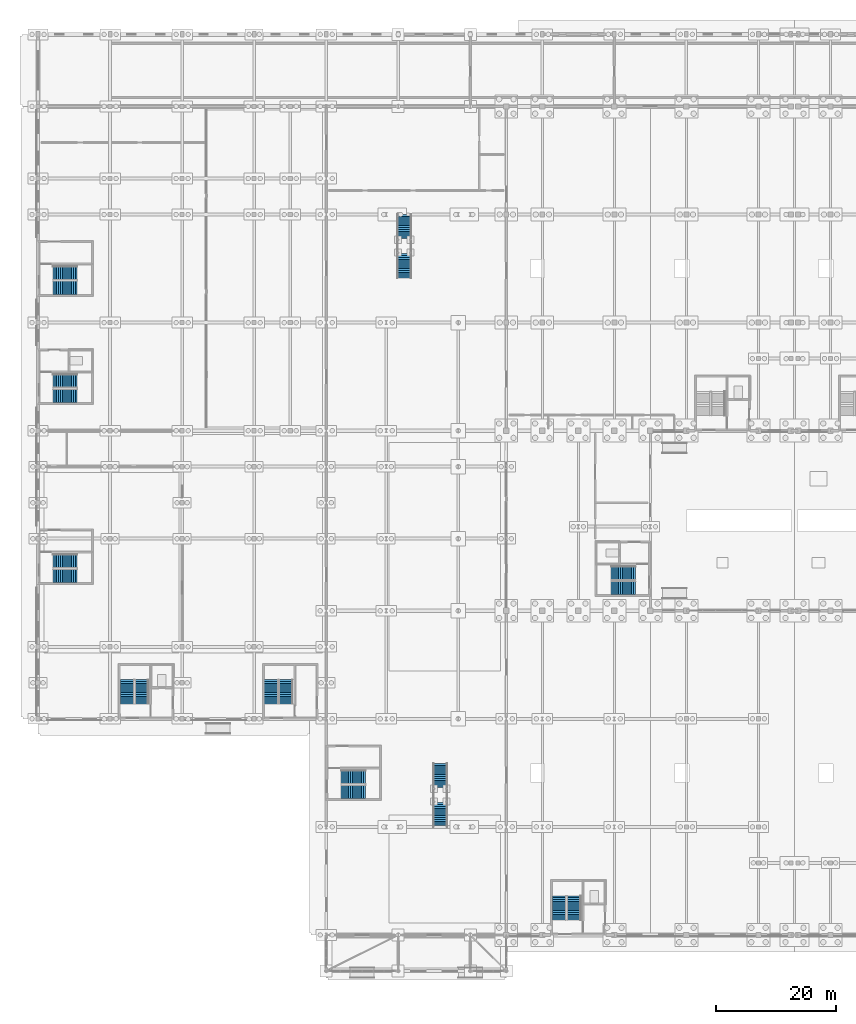
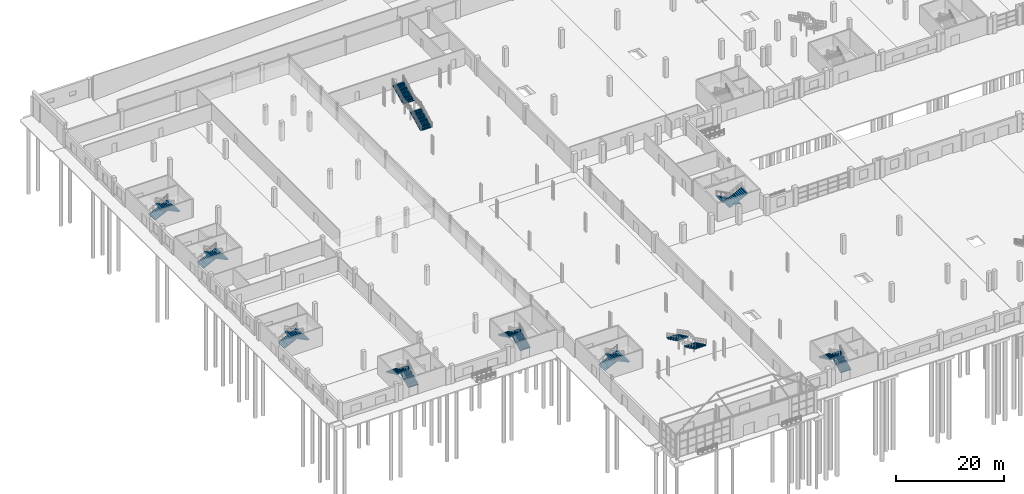
# One storey, part 67 of 77: 20 stair flights, 10 elements without a shape of their own.
"""IFC4 building model written with IfcOpenShell, lengths in metres."""

from ifc_helpers import new_model, si_unit, direction, frame, origin, place, context, subcontext, project, spatial, polyline, outline, extrude, material, type_object, element, aggregate, save


model = new_model("IFC4")

# Units and contexts
model_context = context("Model", 3, precision=1e-05, world=origin(), true_north=direction((0.0, 1.0)))
body_context = subcontext(model_context, "Body", "Model", "MODEL_VIEW")
ifc_project = project(units=[si_unit("LENGTHUNIT", "METRE"), si_unit("AREAUNIT", "SQUARE_METRE"), si_unit("VOLUMEUNIT", "CUBIC_METRE"), si_unit("PLANEANGLEUNIT", "RADIAN"), si_unit("MASSUNIT", "GRAM", prefix="KILO")], contexts=[model_context])

# Site, building, storey
site_placement = place(None, origin())
site = spatial("IfcSite", under=ifc_project, at=site_placement, CompositionType="ELEMENT")
building_placement = place(site_placement, origin())
building = spatial("IfcBuilding", under=site, at=building_placement, Name="Zilviju Railside Exhibition Hall", CompositionType="ELEMENT")
storey_placement = place(building_placement, origin())
storey = spatial("IfcBuildingStorey", under=building, at=storey_placement, Name="L01", CompositionType="ELEMENT", Elevation=0.0)

# Stair, stair flights
ifc_material = material(Name="Concrete C35/45", Category="concrete")
stair_type_1 = type_object("IfcStairType", Name="STAIR-ST-A", PredefinedType="HALF_TURN_STAIR", material=ifc_material)
stair_1_placement = place(storey_placement, origin())
stair_1 = element("IfcStair", 1, at=stair_1_placement, inside=storey, type_object=stair_type_1, Name="Core C01 South Hall West Exit Stair L01", PredefinedType="HALF_TURN_STAIR")
stair_flight_type_1 = type_object("IfcStairFlightType", Name="FLIGHT-ST-A", PredefinedType="STRAIGHT", material=ifc_material)
stair_flight_1_placement = place(storey_placement, frame((89.300048828125, 2.5, 0.0), z_axis=(0.0, 0.0, 1.0), x_axis=(0.0, 1.0, 0.0)))
stair_flight_1 = element("IfcStairFlight", 2, at=stair_flight_1_placement, type_object=stair_flight_type_1, Name="ST-01 flight 1", NumberOfRisers=14, NumberOfTreads=13, PredefinedType="STRAIGHT", RiserHeight=0.15, TreadLength=0.31, context=body_context, shape_type="SweptSolid", body=[
    extrude(outline(polyline([(0.0, 0.0), (0.0, 0.14990234375), (0.31005859375, 0.14990234375), (0.31005859375, 0.300048828125), (0.6201171875, 0.300048828125), (0.6201171875, 0.449951171875), (0.929931640625, 0.449951171875), (0.929931640625, 0.60009765625), (1.239990234375, 0.60009765625), (1.239990234375, 0.75), (1.550048828125, 0.75), (1.550048828125, 0.89990234375), (1.860107421875, 0.89990234375), (1.860107421875, 1.050048828125), (2.169921875, 1.050048828125), (2.169921875, 1.199951171875), (2.47998046875, 1.199951171875), (2.47998046875, 1.35009765625), (2.7900390625, 1.35009765625), (2.7900390625, 1.5), (3.10009765625, 1.5), (3.10009765625, 1.64990234375), (3.409912109375, 1.64990234375), (3.409912109375, 1.800048828125), (3.719970703125, 1.800048828125), (3.719970703125, 1.949951171875), (4.030029296875, 1.949951171875), (4.030029296875, 2.10009765625), (4.030029296875, 1.75), (0.4130859375, 0.0), (0.0, 0.0)])), frame((0.0, 1.1201171875, 0.0), z_axis=(0.0, -1.0, 0.0), x_axis=(1.0, 0.0, 0.0)), (0.0, 0.0, 1.0), 2.239990234375),
])
stair_flight_2_placement = place(storey_placement, frame((86.800048828125, 6.530029296875, 2.10009765625), z_axis=(0.0, 0.0, 1.0), x_axis=(0.0, -1.0, 0.0)))
stair_flight_2 = element("IfcStairFlight", 3, at=stair_flight_2_placement, type_object=stair_flight_type_1, Name="ST-01 flight 2", NumberOfRisers=14, NumberOfTreads=13, PredefinedType="STRAIGHT", RiserHeight=0.15, TreadLength=0.31, context=body_context, shape_type="SweptSolid", body=[
    extrude(outline(polyline([(0.0, 0.0), (0.0, 0.14990234375), (0.31005859375, 0.14990234375), (0.31005859375, 0.300048828125), (0.6201171875, 0.300048828125), (0.6201171875, 0.449951171875), (0.929931640625, 0.449951171875), (0.929931640625, 0.60009765625), (1.239990234375, 0.60009765625), (1.239990234375, 0.75), (1.550048828125, 0.75), (1.550048828125, 0.89990234375), (1.860107421875, 0.89990234375), (1.860107421875, 1.050048828125), (2.169921875, 1.050048828125), (2.169921875, 1.199951171875), (2.47998046875, 1.199951171875), (2.47998046875, 1.35009765625), (2.7900390625, 1.35009765625), (2.7900390625, 1.5), (3.10009765625, 1.5), (3.10009765625, 1.64990234375), (3.409912109375, 1.64990234375), (3.409912109375, 1.800048828125), (3.719970703125, 1.800048828125), (3.719970703125, 1.949951171875), (4.030029296875, 1.949951171875), (4.030029296875, 2.10009765625), (4.030029296875, 1.75), (0.4130859375, 0.0), (0.0, 0.0)])), frame((0.0, 1.1201171875, 0.0), z_axis=(0.0, -1.0, 0.0), x_axis=(1.0, 0.0, 0.0)), (0.0, 0.0, 1.0), 2.239990234375),
])
aggregate(stair_1, [stair_flight_1, stair_flight_2])

stair_2_placement = place(storey_placement, origin())
stair_2 = element("IfcStair", 4, at=stair_2_placement, inside=storey, type_object=stair_type_1, Name="Core C10 Winter Concourse Court Exit Stair L01", PredefinedType="HALF_TURN_STAIR")
stair_flight_3_placement = place(storey_placement, frame((99.5, 60.300048828125, 0.0), z_axis=(0.0, 0.0, 1.0), x_axis=(-1.0, 0.0, 0.0)))
stair_flight_3 = element("IfcStairFlight", 5, at=stair_flight_3_placement, type_object=stair_flight_type_1, Name="ST-10 flight 1", NumberOfRisers=14, NumberOfTreads=13, PredefinedType="STRAIGHT", RiserHeight=0.15, TreadLength=0.31, context=body_context, shape_type="SweptSolid", body=[
    extrude(outline(polyline([(0.0, 0.0), (0.0, 0.14990234375), (0.31005859375, 0.14990234375), (0.31005859375, 0.300048828125), (0.6201171875, 0.300048828125), (0.6201171875, 0.449951171875), (0.929931640625, 0.449951171875), (0.929931640625, 0.60009765625), (1.239990234375, 0.60009765625), (1.239990234375, 0.75), (1.550048828125, 0.75), (1.550048828125, 0.89990234375), (1.860107421875, 0.89990234375), (1.860107421875, 1.050048828125), (2.169921875, 1.050048828125), (2.169921875, 1.199951171875), (2.47998046875, 1.199951171875), (2.47998046875, 1.35009765625), (2.7900390625, 1.35009765625), (2.7900390625, 1.5), (3.10009765625, 1.5), (3.10009765625, 1.64990234375), (3.409912109375, 1.64990234375), (3.409912109375, 1.800048828125), (3.719970703125, 1.800048828125), (3.719970703125, 1.949951171875), (4.030029296875, 1.949951171875), (4.030029296875, 2.10009765625), (4.030029296875, 1.75), (0.4130859375, 0.0), (0.0, 0.0)])), frame((0.0, 1.1201171875, 0.0), z_axis=(0.0, -1.0, 0.0), x_axis=(1.0, 0.0, 0.0)), (0.0, 0.0, 1.0), 2.239990234375),
])
stair_flight_4_placement = place(storey_placement, frame((95.469970703125, 57.800048828125, 2.10009765625), z_axis=(0.0, 0.0, 1.0), x_axis=(1.0, 0.0, 0.0)))
stair_flight_4 = element("IfcStairFlight", 6, at=stair_flight_4_placement, type_object=stair_flight_type_1, Name="ST-10 flight 2", NumberOfRisers=14, NumberOfTreads=13, PredefinedType="STRAIGHT", RiserHeight=0.15, TreadLength=0.31, context=body_context, shape_type="SweptSolid", body=[
    extrude(outline(polyline([(0.0, 0.0), (0.0, 0.14990234375), (0.31005859375, 0.14990234375), (0.31005859375, 0.300048828125), (0.6201171875, 0.300048828125), (0.6201171875, 0.449951171875), (0.929931640625, 0.449951171875), (0.929931640625, 0.60009765625), (1.239990234375, 0.60009765625), (1.239990234375, 0.75), (1.550048828125, 0.75), (1.550048828125, 0.89990234375), (1.860107421875, 0.89990234375), (1.860107421875, 1.050048828125), (2.169921875, 1.050048828125), (2.169921875, 1.199951171875), (2.47998046875, 1.199951171875), (2.47998046875, 1.35009765625), (2.7900390625, 1.35009765625), (2.7900390625, 1.5), (3.10009765625, 1.5), (3.10009765625, 1.64990234375), (3.409912109375, 1.64990234375), (3.409912109375, 1.800048828125), (3.719970703125, 1.800048828125), (3.719970703125, 1.949951171875), (4.030029296875, 1.949951171875), (4.030029296875, 2.10009765625), (4.030029296875, 1.75), (0.4130859375, 0.0), (0.0, 0.0)])), frame((0.0, 1.1201171875, 0.0), z_axis=(0.0, -1.0, 0.0), x_axis=(1.0, 0.0, 0.0)), (0.0, 0.0, 1.0), 2.239990234375),
])
aggregate(stair_2, [stair_flight_3, stair_flight_4])

stair_3_placement = place(storey_placement, origin())
stair_3 = element("IfcStair", 7, at=stair_3_placement, inside=storey, type_object=stair_type_1, Name="Core C13 Congress Plenary SouthE Exit Stair L01", PredefinedType="HALF_TURN_STAIR")
stair_flight_5_placement = place(storey_placement, frame((41.300048828125, 38.5, 0.0), z_axis=(0.0, 0.0, 1.0), x_axis=(0.0, 1.0, 0.0)))
stair_flight_5 = element("IfcStairFlight", 8, at=stair_flight_5_placement, type_object=stair_flight_type_1, Name="ST-13 flight 1", NumberOfRisers=14, NumberOfTreads=13, PredefinedType="STRAIGHT", RiserHeight=0.15, TreadLength=0.31, context=body_context, shape_type="SweptSolid", body=[
    extrude(outline(polyline([(0.0, 0.0), (0.0, 0.14990234375), (0.31005859375, 0.14990234375), (0.31005859375, 0.300048828125), (0.6201171875, 0.300048828125), (0.6201171875, 0.449951171875), (0.929931640625, 0.449951171875), (0.929931640625, 0.60009765625), (1.239990234375, 0.60009765625), (1.239990234375, 0.75), (1.550048828125, 0.75), (1.550048828125, 0.89990234375), (1.860107421875, 0.89990234375), (1.860107421875, 1.050048828125), (2.169921875, 1.050048828125), (2.169921875, 1.199951171875), (2.47998046875, 1.199951171875), (2.47998046875, 1.35009765625), (2.7900390625, 1.35009765625), (2.7900390625, 1.5), (3.10009765625, 1.5), (3.10009765625, 1.64990234375), (3.409912109375, 1.64990234375), (3.409912109375, 1.800048828125), (3.719970703125, 1.800048828125), (3.719970703125, 1.949951171875), (4.030029296875, 1.949951171875), (4.030029296875, 2.10009765625), (4.030029296875, 1.75), (0.4130859375, 0.0), (0.0, 0.0)])), frame((0.0, 1.1201171875, 0.0), z_axis=(0.0, -1.0, 0.0), x_axis=(1.0, 0.0, 0.0)), (0.0, 0.0, 1.0), 2.239990234375),
])
stair_flight_6_placement = place(storey_placement, frame((38.800048828125, 42.530029296875, 2.10009765625), z_axis=(0.0, 0.0, 1.0), x_axis=(0.0, -1.0, 0.0)))
stair_flight_6 = element("IfcStairFlight", 9, at=stair_flight_6_placement, type_object=stair_flight_type_1, Name="ST-13 flight 2", NumberOfRisers=14, NumberOfTreads=13, PredefinedType="STRAIGHT", RiserHeight=0.15, TreadLength=0.31, context=body_context, shape_type="SweptSolid", body=[
    extrude(outline(polyline([(0.0, 0.0), (0.0, 0.14990234375), (0.31005859375, 0.14990234375), (0.31005859375, 0.300048828125), (0.6201171875, 0.300048828125), (0.6201171875, 0.449951171875), (0.929931640625, 0.449951171875), (0.929931640625, 0.60009765625), (1.239990234375, 0.60009765625), (1.239990234375, 0.75), (1.550048828125, 0.75), (1.550048828125, 0.89990234375), (1.860107421875, 0.89990234375), (1.860107421875, 1.050048828125), (2.169921875, 1.050048828125), (2.169921875, 1.199951171875), (2.47998046875, 1.199951171875), (2.47998046875, 1.35009765625), (2.7900390625, 1.35009765625), (2.7900390625, 1.5), (3.10009765625, 1.5), (3.10009765625, 1.64990234375), (3.409912109375, 1.64990234375), (3.409912109375, 1.800048828125), (3.719970703125, 1.800048828125), (3.719970703125, 1.949951171875), (4.030029296875, 1.949951171875), (4.030029296875, 2.10009765625), (4.030029296875, 1.75), (0.4130859375, 0.0), (0.0, 0.0)])), frame((0.0, 1.1201171875, 0.0), z_axis=(0.0, -1.0, 0.0), x_axis=(1.0, 0.0, 0.0)), (0.0, 0.0, 1.0), 2.239990234375),
])
aggregate(stair_3, [stair_flight_5, stair_flight_6])

stair_4_placement = place(storey_placement, origin())
stair_4 = element("IfcStair", 10, at=stair_4_placement, inside=storey, type_object=stair_type_1, Name="Core C16 Organisers Wing North Exit Stair L01", PredefinedType="HALF_TURN_STAIR")
stair_flight_7_placement = place(storey_placement, frame((2.5, 110.300048828125, 0.0), z_axis=(0.0, 0.0, 1.0), x_axis=(1.0, 0.0, 0.0)))
stair_flight_7 = element("IfcStairFlight", 11, at=stair_flight_7_placement, type_object=stair_flight_type_1, Name="ST-16 flight 1", NumberOfRisers=14, NumberOfTreads=13, PredefinedType="STRAIGHT", RiserHeight=0.15, TreadLength=0.31, context=body_context, shape_type="SweptSolid", body=[
    extrude(outline(polyline([(0.0, 0.0), (0.0, 0.14990234375), (0.31005859375, 0.14990234375), (0.31005859375, 0.300048828125), (0.6201171875, 0.300048828125), (0.6201171875, 0.449951171875), (0.929931640625, 0.449951171875), (0.929931640625, 0.60009765625), (1.239990234375, 0.60009765625), (1.239990234375, 0.75), (1.550048828125, 0.75), (1.550048828125, 0.89990234375), (1.860107421875, 0.89990234375), (1.860107421875, 1.050048828125), (2.169921875, 1.050048828125), (2.169921875, 1.199951171875), (2.47998046875, 1.199951171875), (2.47998046875, 1.35009765625), (2.7900390625, 1.35009765625), (2.7900390625, 1.5), (3.10009765625, 1.5), (3.10009765625, 1.64990234375), (3.409912109375, 1.64990234375), (3.409912109375, 1.800048828125), (3.719970703125, 1.800048828125), (3.719970703125, 1.949951171875), (4.030029296875, 1.949951171875), (4.030029296875, 2.10009765625), (4.030029296875, 1.75), (0.4130859375, 0.0), (0.0, 0.0)])), frame((0.0, 1.1201171875, 0.0), z_axis=(0.0, -1.0, 0.0), x_axis=(1.0, 0.0, 0.0)), (0.0, 0.0, 1.0), 2.239990234375),
])
stair_flight_8_placement = place(storey_placement, frame((6.530029296875, 107.800048828125, 2.10009765625), z_axis=(0.0, 0.0, 1.0), x_axis=(-1.0, 0.0, 0.0)))
stair_flight_8 = element("IfcStairFlight", 12, at=stair_flight_8_placement, type_object=stair_flight_type_1, Name="ST-16 flight 2", NumberOfRisers=14, NumberOfTreads=13, PredefinedType="STRAIGHT", RiserHeight=0.15, TreadLength=0.31, context=body_context, shape_type="SweptSolid", body=[
    extrude(outline(polyline([(0.0, 0.0), (0.0, 0.14990234375), (0.31005859375, 0.14990234375), (0.31005859375, 0.300048828125), (0.6201171875, 0.300048828125), (0.6201171875, 0.449951171875), (0.929931640625, 0.449951171875), (0.929931640625, 0.60009765625), (1.239990234375, 0.60009765625), (1.239990234375, 0.75), (1.550048828125, 0.75), (1.550048828125, 0.89990234375), (1.860107421875, 0.89990234375), (1.860107421875, 1.050048828125), (2.169921875, 1.050048828125), (2.169921875, 1.199951171875), (2.47998046875, 1.199951171875), (2.47998046875, 1.35009765625), (2.7900390625, 1.35009765625), (2.7900390625, 1.5), (3.10009765625, 1.5), (3.10009765625, 1.64990234375), (3.409912109375, 1.64990234375), (3.409912109375, 1.800048828125), (3.719970703125, 1.800048828125), (3.719970703125, 1.949951171875), (4.030029296875, 1.949951171875), (4.030029296875, 2.10009765625), (4.030029296875, 1.75), (0.4130859375, 0.0), (0.0, 0.0)])), frame((0.0, 1.1201171875, 0.0), z_axis=(0.0, -1.0, 0.0), x_axis=(1.0, 0.0, 0.0)), (0.0, 0.0, 1.0), 2.239990234375),
])
aggregate(stair_4, [stair_flight_7, stair_flight_8])

stair_type_2 = type_object("IfcStairType", Name="STAIR-ST-B", PredefinedType="HALF_TURN_STAIR", material=ifc_material)
stair_5_placement = place(storey_placement, origin())
stair_5 = element("IfcStair", 13, at=stair_5_placement, inside=storey, type_object=stair_type_2, Name="Core C11 Winter Concourse Forecourt Exit Stair L01", PredefinedType="HALF_TURN_STAIR")
stair_flight_type_2 = type_object("IfcStairFlightType", Name="FLIGHT-ST-B", PredefinedType="STRAIGHT", material=ifc_material)
stair_flight_9_placement = place(storey_placement, frame((50.5, 26.300048828125, 0.0), z_axis=(0.0, 0.0, 1.0), x_axis=(1.0, 0.0, 0.0)))
stair_flight_9 = element("IfcStairFlight", 14, at=stair_flight_9_placement, type_object=stair_flight_type_2, Name="ST-11 flight 1", NumberOfRisers=14, NumberOfTreads=13, PredefinedType="STRAIGHT", RiserHeight=0.15, TreadLength=0.31, context=body_context, shape_type="SweptSolid", body=[
    extrude(outline(polyline([(0.0, 0.0), (0.0, 0.14990234375), (0.31005859375, 0.14990234375), (0.31005859375, 0.300048828125), (0.6201171875, 0.300048828125), (0.6201171875, 0.449951171875), (0.929931640625, 0.449951171875), (0.929931640625, 0.60009765625), (1.239990234375, 0.60009765625), (1.239990234375, 0.75), (1.550048828125, 0.75), (1.550048828125, 0.89990234375), (1.860107421875, 0.89990234375), (1.860107421875, 1.050048828125), (2.169921875, 1.050048828125), (2.169921875, 1.199951171875), (2.47998046875, 1.199951171875), (2.47998046875, 1.35009765625), (2.7900390625, 1.35009765625), (2.7900390625, 1.5), (3.10009765625, 1.5), (3.10009765625, 1.64990234375), (3.409912109375, 1.64990234375), (3.409912109375, 1.800048828125), (3.719970703125, 1.800048828125), (3.719970703125, 1.949951171875), (4.030029296875, 1.949951171875), (4.030029296875, 2.10009765625), (4.030029296875, 1.75), (0.4130859375, 0.0), (0.0, 0.0)])), frame((0.0, 1.10986328125, 0.0), z_axis=(0.0, -1.0, 0.0), x_axis=(1.0, 0.0, 0.0)), (0.0, 0.0, 1.0), 2.219970703125),
])
stair_flight_10_placement = place(storey_placement, frame((54.530029296875, 23.800048828125, 2.10009765625), z_axis=(0.0, 0.0, 1.0), x_axis=(-1.0, 0.0, 0.0)))
stair_flight_10 = element("IfcStairFlight", 15, at=stair_flight_10_placement, type_object=stair_flight_type_2, Name="ST-11 flight 2", NumberOfRisers=14, NumberOfTreads=13, PredefinedType="STRAIGHT", RiserHeight=0.15, TreadLength=0.31, context=body_context, shape_type="SweptSolid", body=[
    extrude(outline(polyline([(0.0, 0.0), (0.0, 0.14990234375), (0.31005859375, 0.14990234375), (0.31005859375, 0.300048828125), (0.6201171875, 0.300048828125), (0.6201171875, 0.449951171875), (0.929931640625, 0.449951171875), (0.929931640625, 0.60009765625), (1.239990234375, 0.60009765625), (1.239990234375, 0.75), (1.550048828125, 0.75), (1.550048828125, 0.89990234375), (1.860107421875, 0.89990234375), (1.860107421875, 1.050048828125), (2.169921875, 1.050048828125), (2.169921875, 1.199951171875), (2.47998046875, 1.199951171875), (2.47998046875, 1.35009765625), (2.7900390625, 1.35009765625), (2.7900390625, 1.5), (3.10009765625, 1.5), (3.10009765625, 1.64990234375), (3.409912109375, 1.64990234375), (3.409912109375, 1.800048828125), (3.719970703125, 1.800048828125), (3.719970703125, 1.949951171875), (4.030029296875, 1.949951171875), (4.030029296875, 2.10009765625), (4.030029296875, 1.75), (0.4130859375, 0.0), (0.0, 0.0)])), frame((0.0, 1.10986328125, 0.0), z_axis=(0.0, -1.0, 0.0), x_axis=(1.0, 0.0, 0.0)), (0.0, 0.0, 1.0), 2.219970703125),
])
aggregate(stair_5, [stair_flight_9, stair_flight_10])

stair_6_placement = place(storey_placement, origin())
stair_6 = element("IfcStair", 16, at=stair_6_placement, inside=storey, type_object=stair_type_2, Name="Core C14 Congress Plenary West Exit Stair L01", PredefinedType="HALF_TURN_STAIR")
stair_flight_11_placement = place(storey_placement, frame((2.5, 62.300048828125, 0.0), z_axis=(0.0, 0.0, 1.0), x_axis=(1.0, 0.0, 0.0)))
stair_flight_11 = element("IfcStairFlight", 17, at=stair_flight_11_placement, type_object=stair_flight_type_2, Name="ST-14 flight 1", NumberOfRisers=14, NumberOfTreads=13, PredefinedType="STRAIGHT", RiserHeight=0.15, TreadLength=0.31, context=body_context, shape_type="SweptSolid", body=[
    extrude(outline(polyline([(0.0, 0.0), (0.0, 0.14990234375), (0.31005859375, 0.14990234375), (0.31005859375, 0.300048828125), (0.6201171875, 0.300048828125), (0.6201171875, 0.449951171875), (0.929931640625, 0.449951171875), (0.929931640625, 0.60009765625), (1.239990234375, 0.60009765625), (1.239990234375, 0.75), (1.550048828125, 0.75), (1.550048828125, 0.89990234375), (1.860107421875, 0.89990234375), (1.860107421875, 1.050048828125), (2.169921875, 1.050048828125), (2.169921875, 1.199951171875), (2.47998046875, 1.199951171875), (2.47998046875, 1.35009765625), (2.7900390625, 1.35009765625), (2.7900390625, 1.5), (3.10009765625, 1.5), (3.10009765625, 1.64990234375), (3.409912109375, 1.64990234375), (3.409912109375, 1.800048828125), (3.719970703125, 1.800048828125), (3.719970703125, 1.949951171875), (4.030029296875, 1.949951171875), (4.030029296875, 2.10009765625), (4.030029296875, 1.75), (0.4130859375, 0.0), (0.0, 0.0)])), frame((0.0, 1.10986328125, 0.0), z_axis=(0.0, -1.0, 0.0), x_axis=(1.0, 0.0, 0.0)), (0.0, 0.0, 1.0), 2.219970703125),
])
stair_flight_12_placement = place(storey_placement, frame((6.530029296875, 59.800048828125, 2.10009765625), z_axis=(0.0, 0.0, 1.0), x_axis=(-1.0, 0.0, 0.0)))
stair_flight_12 = element("IfcStairFlight", 18, at=stair_flight_12_placement, type_object=stair_flight_type_2, Name="ST-14 flight 2", NumberOfRisers=14, NumberOfTreads=13, PredefinedType="STRAIGHT", RiserHeight=0.15, TreadLength=0.31, context=body_context, shape_type="SweptSolid", body=[
    extrude(outline(polyline([(0.0, 0.0), (0.0, 0.14990234375), (0.31005859375, 0.14990234375), (0.31005859375, 0.300048828125), (0.6201171875, 0.300048828125), (0.6201171875, 0.449951171875), (0.929931640625, 0.449951171875), (0.929931640625, 0.60009765625), (1.239990234375, 0.60009765625), (1.239990234375, 0.75), (1.550048828125, 0.75), (1.550048828125, 0.89990234375), (1.860107421875, 0.89990234375), (1.860107421875, 1.050048828125), (2.169921875, 1.050048828125), (2.169921875, 1.199951171875), (2.47998046875, 1.199951171875), (2.47998046875, 1.35009765625), (2.7900390625, 1.35009765625), (2.7900390625, 1.5), (3.10009765625, 1.5), (3.10009765625, 1.64990234375), (3.409912109375, 1.64990234375), (3.409912109375, 1.800048828125), (3.719970703125, 1.800048828125), (3.719970703125, 1.949951171875), (4.030029296875, 1.949951171875), (4.030029296875, 2.10009765625), (4.030029296875, 1.75), (0.4130859375, 0.0), (0.0, 0.0)])), frame((0.0, 1.10986328125, 0.0), z_axis=(0.0, -1.0, 0.0), x_axis=(1.0, 0.0, 0.0)), (0.0, 0.0, 1.0), 2.219970703125),
])
aggregate(stair_6, [stair_flight_11, stair_flight_12])

stair_type_3 = type_object("IfcStairType", Name="STAIR-ST-C", PredefinedType="HALF_TURN_STAIR", material=ifc_material)
stair_7_placement = place(storey_placement, origin())
stair_7 = element("IfcStair", 19, at=stair_7_placement, inside=storey, type_object=stair_type_3, Name="Core C12 Congress Plenary SouthW Exit Stair L01", PredefinedType="HALF_TURN_STAIR")
stair_flight_type_3 = type_object("IfcStairFlightType", Name="FLIGHT-ST-C", PredefinedType="STRAIGHT", material=ifc_material)
stair_flight_13_placement = place(storey_placement, frame((17.300048828125, 38.5, 0.0), z_axis=(0.0, 0.0, 1.0), x_axis=(0.0, 1.0, 0.0)))
stair_flight_13 = element("IfcStairFlight", 20, at=stair_flight_13_placement, type_object=stair_flight_type_3, Name="ST-12 flight 1", NumberOfRisers=14, NumberOfTreads=13, PredefinedType="STRAIGHT", RiserHeight=0.15, TreadLength=0.31, context=body_context, shape_type="SweptSolid", body=[
    extrude(outline(polyline([(0.0, 0.0), (0.0, 0.14990234375), (0.31005859375, 0.14990234375), (0.31005859375, 0.300048828125), (0.6201171875, 0.300048828125), (0.6201171875, 0.449951171875), (0.929931640625, 0.449951171875), (0.929931640625, 0.60009765625), (1.239990234375, 0.60009765625), (1.239990234375, 0.75), (1.550048828125, 0.75), (1.550048828125, 0.89990234375), (1.860107421875, 0.89990234375), (1.860107421875, 1.050048828125), (2.169921875, 1.050048828125), (2.169921875, 1.199951171875), (2.47998046875, 1.199951171875), (2.47998046875, 1.35009765625), (2.7900390625, 1.35009765625), (2.7900390625, 1.5), (3.10009765625, 1.5), (3.10009765625, 1.64990234375), (3.409912109375, 1.64990234375), (3.409912109375, 1.800048828125), (3.719970703125, 1.800048828125), (3.719970703125, 1.949951171875), (4.030029296875, 1.949951171875), (4.030029296875, 2.10009765625), (4.030029296875, 1.75), (0.4130859375, 0.0), (0.0, 0.0)])), frame((0.0, 1.10009765625, 0.0), z_axis=(0.0, -1.0, 0.0), x_axis=(1.0, 0.0, 0.0)), (0.0, 0.0, 1.0), 2.199951171875),
])
stair_flight_14_placement = place(storey_placement, frame((14.800048828125, 42.530029296875, 2.10009765625), z_axis=(0.0, 0.0, 1.0), x_axis=(0.0, -1.0, 0.0)))
stair_flight_14 = element("IfcStairFlight", 21, at=stair_flight_14_placement, type_object=stair_flight_type_3, Name="ST-12 flight 2", NumberOfRisers=14, NumberOfTreads=13, PredefinedType="STRAIGHT", RiserHeight=0.15, TreadLength=0.31, context=body_context, shape_type="SweptSolid", body=[
    extrude(outline(polyline([(0.0, 0.0), (0.0, 0.14990234375), (0.31005859375, 0.14990234375), (0.31005859375, 0.300048828125), (0.6201171875, 0.300048828125), (0.6201171875, 0.449951171875), (0.929931640625, 0.449951171875), (0.929931640625, 0.60009765625), (1.239990234375, 0.60009765625), (1.239990234375, 0.75), (1.550048828125, 0.75), (1.550048828125, 0.89990234375), (1.860107421875, 0.89990234375), (1.860107421875, 1.050048828125), (2.169921875, 1.050048828125), (2.169921875, 1.199951171875), (2.47998046875, 1.199951171875), (2.47998046875, 1.35009765625), (2.7900390625, 1.35009765625), (2.7900390625, 1.5), (3.10009765625, 1.5), (3.10009765625, 1.64990234375), (3.409912109375, 1.64990234375), (3.409912109375, 1.800048828125), (3.719970703125, 1.800048828125), (3.719970703125, 1.949951171875), (4.030029296875, 1.949951171875), (4.030029296875, 2.10009765625), (4.030029296875, 1.75), (0.4130859375, 0.0), (0.0, 0.0)])), frame((0.0, 1.10009765625, 0.0), z_axis=(0.0, -1.0, 0.0), x_axis=(1.0, 0.0, 0.0)), (0.0, 0.0, 1.0), 2.199951171875),
])
aggregate(stair_7, [stair_flight_13, stair_flight_14])

stair_8_placement = place(storey_placement, origin())
stair_8 = element("IfcStair", 22, at=stair_8_placement, inside=storey, type_object=stair_type_3, Name="Core C15 Organisers Wing South Exit Stair L01", PredefinedType="HALF_TURN_STAIR")
stair_flight_15_placement = place(storey_placement, frame((2.5, 92.300048828125, 0.0), z_axis=(0.0, 0.0, 1.0), x_axis=(1.0, 0.0, 0.0)))
stair_flight_15 = element("IfcStairFlight", 23, at=stair_flight_15_placement, type_object=stair_flight_type_3, Name="ST-15 flight 1", NumberOfRisers=14, NumberOfTreads=13, PredefinedType="STRAIGHT", RiserHeight=0.15, TreadLength=0.31, context=body_context, shape_type="SweptSolid", body=[
    extrude(outline(polyline([(0.0, 0.0), (0.0, 0.14990234375), (0.31005859375, 0.14990234375), (0.31005859375, 0.300048828125), (0.6201171875, 0.300048828125), (0.6201171875, 0.449951171875), (0.929931640625, 0.449951171875), (0.929931640625, 0.60009765625), (1.239990234375, 0.60009765625), (1.239990234375, 0.75), (1.550048828125, 0.75), (1.550048828125, 0.89990234375), (1.860107421875, 0.89990234375), (1.860107421875, 1.050048828125), (2.169921875, 1.050048828125), (2.169921875, 1.199951171875), (2.47998046875, 1.199951171875), (2.47998046875, 1.35009765625), (2.7900390625, 1.35009765625), (2.7900390625, 1.5), (3.10009765625, 1.5), (3.10009765625, 1.64990234375), (3.409912109375, 1.64990234375), (3.409912109375, 1.800048828125), (3.719970703125, 1.800048828125), (3.719970703125, 1.949951171875), (4.030029296875, 1.949951171875), (4.030029296875, 2.10009765625), (4.030029296875, 1.75), (0.4130859375, 0.0), (0.0, 0.0)])), frame((0.0, 1.10009765625, 0.0), z_axis=(0.0, -1.0, 0.0), x_axis=(1.0, 0.0, 0.0)), (0.0, 0.0, 1.0), 2.199951171875),
])
stair_flight_16_placement = place(storey_placement, frame((6.530029296875, 89.800048828125, 2.10009765625), z_axis=(0.0, 0.0, 1.0), x_axis=(-1.0, 0.0, 0.0)))
stair_flight_16 = element("IfcStairFlight", 24, at=stair_flight_16_placement, type_object=stair_flight_type_3, Name="ST-15 flight 2", NumberOfRisers=14, NumberOfTreads=13, PredefinedType="STRAIGHT", RiserHeight=0.15, TreadLength=0.31, context=body_context, shape_type="SweptSolid", body=[
    extrude(outline(polyline([(0.0, 0.0), (0.0, 0.14990234375), (0.31005859375, 0.14990234375), (0.31005859375, 0.300048828125), (0.6201171875, 0.300048828125), (0.6201171875, 0.449951171875), (0.929931640625, 0.449951171875), (0.929931640625, 0.60009765625), (1.239990234375, 0.60009765625), (1.239990234375, 0.75), (1.550048828125, 0.75), (1.550048828125, 0.89990234375), (1.860107421875, 0.89990234375), (1.860107421875, 1.050048828125), (2.169921875, 1.050048828125), (2.169921875, 1.199951171875), (2.47998046875, 1.199951171875), (2.47998046875, 1.35009765625), (2.7900390625, 1.35009765625), (2.7900390625, 1.5), (3.10009765625, 1.5), (3.10009765625, 1.64990234375), (3.409912109375, 1.64990234375), (3.409912109375, 1.800048828125), (3.719970703125, 1.800048828125), (3.719970703125, 1.949951171875), (4.030029296875, 1.949951171875), (4.030029296875, 2.10009765625), (4.030029296875, 1.75), (0.4130859375, 0.0), (0.0, 0.0)])), frame((0.0, 1.10009765625, 0.0), z_axis=(0.0, -1.0, 0.0), x_axis=(1.0, 0.0, 0.0)), (0.0, 0.0, 1.0), 2.199951171875),
])
aggregate(stair_8, [stair_flight_15, stair_flight_16])

stair_type_4 = type_object("IfcStairType", Name="STAIR-ST-FEAT1", PredefinedType="STRAIGHT_RUN_STAIR", material=ifc_material)
stair_9_placement = place(storey_placement, origin())
stair_9 = element("IfcStair", 25, at=stair_9_placement, inside=storey, type_object=stair_type_4, Name="Grand Straight Feature Stair ST-18", PredefinedType="STRAIGHT_RUN_STAIR")
stair_flight_type_4 = type_object("IfcStairFlightType", Name="FLIGHT-ST-FEAT1", PredefinedType="STRAIGHT", material=ifc_material)
stair_flight_17_placement = place(storey_placement, frame((61.0, 109.43994140625, 0.0), z_axis=(0.0, 0.0, 1.0), x_axis=(0.0, 1.0, 0.0)))
stair_flight_17 = element("IfcStairFlight", 26, at=stair_flight_17_placement, type_object=stair_flight_type_4, Name="ST-18 flight 1", NumberOfRisers=14, NumberOfTreads=13, PredefinedType="STRAIGHT", RiserHeight=0.15, TreadLength=0.31, context=body_context, shape_type="SweptSolid", body=[
    extrude(outline(polyline([(0.0, 0.0), (0.0, 0.14990234375), (0.31005859375, 0.14990234375), (0.31005859375, 0.300048828125), (0.6201171875, 0.300048828125), (0.6201171875, 0.449951171875), (0.929931640625, 0.449951171875), (0.929931640625, 0.60009765625), (1.239990234375, 0.60009765625), (1.239990234375, 0.75), (1.550048828125, 0.75), (1.550048828125, 0.89990234375), (1.860107421875, 0.89990234375), (1.860107421875, 1.050048828125), (2.169921875, 1.050048828125), (2.169921875, 1.199951171875), (2.47998046875, 1.199951171875), (2.47998046875, 1.35009765625), (2.7900390625, 1.35009765625), (2.7900390625, 1.5), (3.10009765625, 1.5), (3.10009765625, 1.64990234375), (3.409912109375, 1.64990234375), (3.409912109375, 1.800048828125), (3.719970703125, 1.800048828125), (3.719970703125, 1.949951171875), (4.030029296875, 1.949951171875), (4.030029296875, 2.10009765625), (4.030029296875, 1.727783203125), (0.458984375, 0.0), (0.0, 0.0)])), frame((0.0, 1.199951171875, 0.0), z_axis=(0.0, -1.0, 0.0), x_axis=(1.0, 0.0, 0.0)), (0.0, 0.0, 1.0), 2.39990234375),
])
stair_flight_18_placement = place(storey_placement, frame((61.0, 115.969970703125, 2.10009765625), z_axis=(0.0, 0.0, 1.0), x_axis=(0.0, 1.0, 0.0)))
stair_flight_18 = element("IfcStairFlight", 27, at=stair_flight_18_placement, type_object=stair_flight_type_4, Name="ST-18 flight 2", NumberOfRisers=14, NumberOfTreads=13, PredefinedType="STRAIGHT", RiserHeight=0.15, TreadLength=0.31, context=body_context, shape_type="SweptSolid", body=[
    extrude(outline(polyline([(0.0, 0.0), (0.0, 0.14990234375), (0.31005859375, 0.14990234375), (0.31005859375, 0.300048828125), (0.6201171875, 0.300048828125), (0.6201171875, 0.449951171875), (0.929931640625, 0.449951171875), (0.929931640625, 0.60009765625), (1.239990234375, 0.60009765625), (1.239990234375, 0.75), (1.550048828125, 0.75), (1.550048828125, 0.89990234375), (1.860107421875, 0.89990234375), (1.860107421875, 1.050048828125), (2.169921875, 1.050048828125), (2.169921875, 1.199951171875), (2.47998046875, 1.199951171875), (2.47998046875, 1.35009765625), (2.7900390625, 1.35009765625), (2.7900390625, 1.5), (3.10009765625, 1.5), (3.10009765625, 1.64990234375), (3.409912109375, 1.64990234375), (3.409912109375, 1.800048828125), (3.719970703125, 1.800048828125), (3.719970703125, 1.949951171875), (4.030029296875, 1.949951171875), (4.030029296875, 2.10009765625), (4.030029296875, 1.727783203125), (0.458984375, 0.0), (0.0, 0.0)])), frame((0.0, 1.199951171875, 0.0), z_axis=(0.0, -1.0, 0.0), x_axis=(1.0, 0.0, 0.0)), (0.0, 0.0, 1.0), 2.39990234375),
])
aggregate(stair_9, [stair_flight_17, stair_flight_18])

stair_10_placement = place(storey_placement, origin())
stair_10 = element("IfcStair", 28, at=stair_10_placement, inside=storey, type_object=stair_type_4, Name="Grand Straight Feature Stair ST-19", PredefinedType="STRAIGHT_RUN_STAIR")
stair_flight_19_placement = place(storey_placement, frame((67.0, 28.56005859375, 0.0), z_axis=(0.0, 0.0, 1.0), x_axis=(0.0, -1.0, 0.0)))
stair_flight_19 = element("IfcStairFlight", 29, at=stair_flight_19_placement, type_object=stair_flight_type_4, Name="ST-19 flight 1", NumberOfRisers=14, NumberOfTreads=13, PredefinedType="STRAIGHT", RiserHeight=0.15, TreadLength=0.31, context=body_context, shape_type="SweptSolid", body=[
    extrude(outline(polyline([(0.0, 0.0), (0.0, 0.14990234375), (0.31005859375, 0.14990234375), (0.31005859375, 0.300048828125), (0.6201171875, 0.300048828125), (0.6201171875, 0.449951171875), (0.929931640625, 0.449951171875), (0.929931640625, 0.60009765625), (1.239990234375, 0.60009765625), (1.239990234375, 0.75), (1.550048828125, 0.75), (1.550048828125, 0.89990234375), (1.860107421875, 0.89990234375), (1.860107421875, 1.050048828125), (2.169921875, 1.050048828125), (2.169921875, 1.199951171875), (2.47998046875, 1.199951171875), (2.47998046875, 1.35009765625), (2.7900390625, 1.35009765625), (2.7900390625, 1.5), (3.10009765625, 1.5), (3.10009765625, 1.64990234375), (3.409912109375, 1.64990234375), (3.409912109375, 1.800048828125), (3.719970703125, 1.800048828125), (3.719970703125, 1.949951171875), (4.030029296875, 1.949951171875), (4.030029296875, 2.10009765625), (4.030029296875, 1.727783203125), (0.458984375, 0.0), (0.0, 0.0)])), frame((0.0, 1.199951171875, 0.0), z_axis=(0.0, -1.0, 0.0), x_axis=(1.0, 0.0, 0.0)), (0.0, 0.0, 1.0), 2.39990234375),
])
stair_flight_20_placement = place(storey_placement, frame((67.0, 22.030029296875, 2.10009765625), z_axis=(0.0, 0.0, 1.0), x_axis=(0.0, -1.0, 0.0)))
stair_flight_20 = element("IfcStairFlight", 30, at=stair_flight_20_placement, type_object=stair_flight_type_4, Name="ST-19 flight 2", NumberOfRisers=14, NumberOfTreads=13, PredefinedType="STRAIGHT", RiserHeight=0.15, TreadLength=0.31, context=body_context, shape_type="SweptSolid", body=[
    extrude(outline(polyline([(0.0, 0.0), (0.0, 0.14990234375), (0.31005859375, 0.14990234375), (0.31005859375, 0.300048828125), (0.6201171875, 0.300048828125), (0.6201171875, 0.449951171875), (0.929931640625, 0.449951171875), (0.929931640625, 0.60009765625), (1.239990234375, 0.60009765625), (1.239990234375, 0.75), (1.550048828125, 0.75), (1.550048828125, 0.89990234375), (1.860107421875, 0.89990234375), (1.860107421875, 1.050048828125), (2.169921875, 1.050048828125), (2.169921875, 1.199951171875), (2.47998046875, 1.199951171875), (2.47998046875, 1.35009765625), (2.7900390625, 1.35009765625), (2.7900390625, 1.5), (3.10009765625, 1.5), (3.10009765625, 1.64990234375), (3.409912109375, 1.64990234375), (3.409912109375, 1.800048828125), (3.719970703125, 1.800048828125), (3.719970703125, 1.949951171875), (4.030029296875, 1.949951171875), (4.030029296875, 2.10009765625), (4.030029296875, 1.727783203125), (0.458984375, 0.0), (0.0, 0.0)])), frame((0.0, 1.199951171875, 0.0), z_axis=(0.0, -1.0, 0.0), x_axis=(1.0, 0.0, 0.0)), (0.0, 0.0, 1.0), 2.39990234375),
])
aggregate(stair_10, [stair_flight_19, stair_flight_20])

save(model, "model.ifc")
